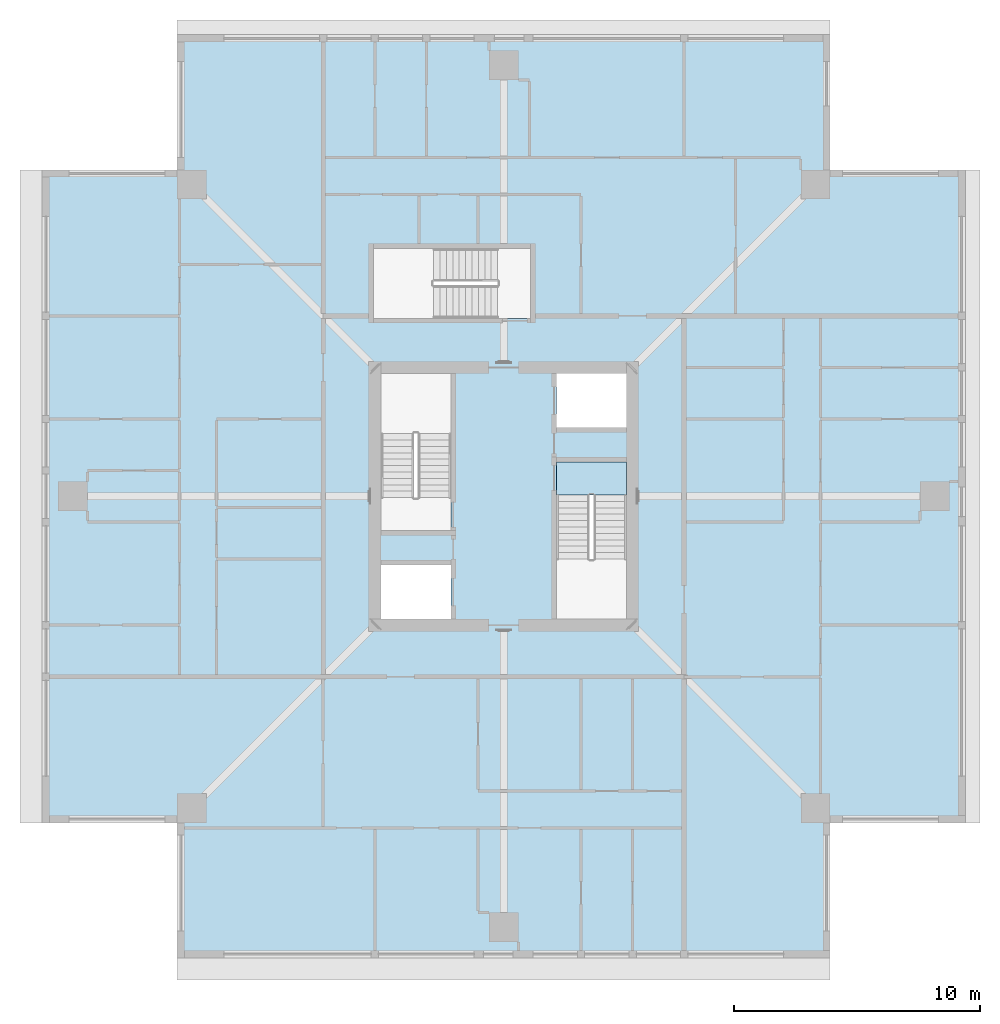
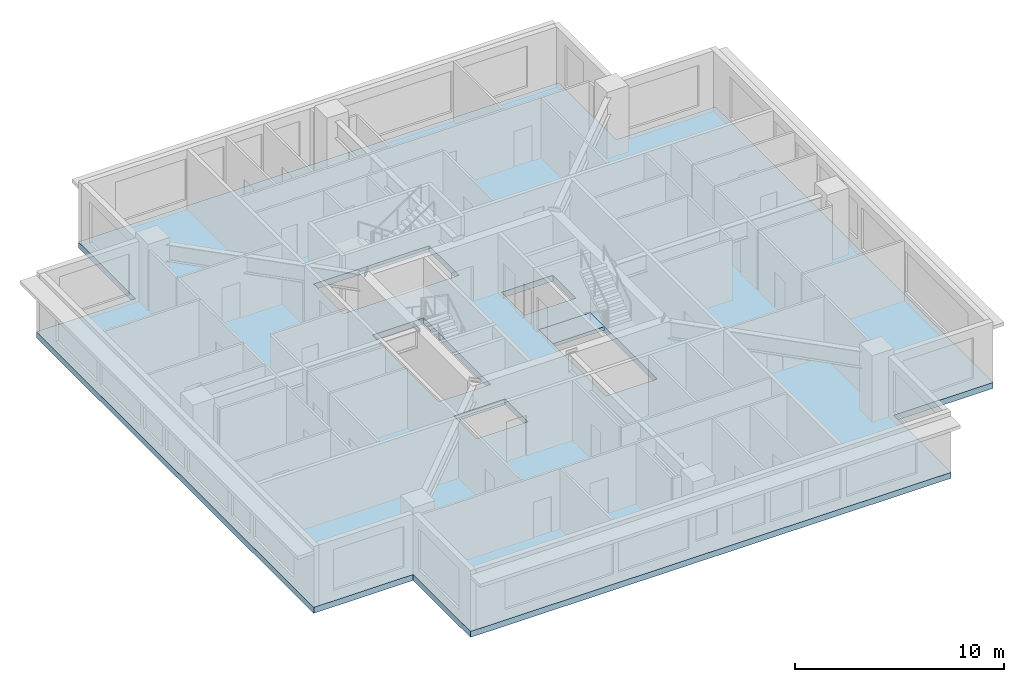
# One storey, part 3 of 11: 2 slabs, 1 element without a shape of its own.
"""IFC4 building model written with IfcOpenShell, lengths in metres."""

import ifcopenshell
import ifcopenshell.guid

model = None  # the IFC model being written
_history = None  # IfcOwnerHistory: only IFC2X3 demands one
_inside = {}  # id of a spatial element -> (the spatial element, [elements in it])
_under = {}  # id of a project, library or spatial element -> (it, [spatial elements below it])
_declared = {}  # id of a project -> (the project, [libraries it declares])
_typed = {}  # id of a type object -> (the type object, [elements of that type])
_made_of = {}  # id of a material, layer set ... -> (it, [elements and type objects made of it])


def new_model(schema):
    """Start an empty IFC model of exactly this schema.

    Asked for "IFC4X3", IfcOpenShell would pick the latest addendum, in which some entities
    have other attributes; the version numbers below select the first issue.
    IFC2X3 requires an IfcOwnerHistory on every rooted entity: one is made here for all.
    """
    global model, _history
    if schema == "IFC4X3":
        model = ifcopenshell.file(schema_version=(4, 3, 0, 0))
    else:
        model = ifcopenshell.file(schema=schema)
    _inside.clear()
    _under.clear()
    _declared.clear()
    _typed.clear()
    _made_of.clear()
    _history = None
    if model.schema == "IFC2X3":
        org = make("IfcOrganization", Name="unknown")
        user = make(
            "IfcPersonAndOrganization",
            ThePerson=make("IfcPerson", FamilyName="unknown"),
            TheOrganization=org,
        )
        app = make(
            "IfcApplication",
            ApplicationDeveloper=org,
            Version="unknown",
            ApplicationFullName="unknown",
            ApplicationIdentifier="unknown",
        )
        _history = make(
            "IfcOwnerHistory",
            OwningUser=user,
            OwningApplication=app,
            ChangeAction="ADDED",
            CreationDate=0,
        )
    return model


def make(cls, **values):
    """One entity of the class cls with the attributes given. An attribute that is None is left unset."""
    return model.create_entity(
        cls, **{name: value for name, value in values.items() if value is not None}
    )


def rooted(cls, **values):
    """An entity with a GlobalId (a new one), such as an element, a storey or a relation."""
    return make(cls, GlobalId=ifcopenshell.guid.new(), OwnerHistory=_history, **values)


def si_unit(unit_type, name, prefix=None):
    """IfcSIUnit, for example si_unit("LENGTHUNIT", "METRE", prefix="MILLI")."""
    return make("IfcSIUnit", UnitType=unit_type, Prefix=prefix, Name=name)


def assignment(units):
    """IfcUnitAssignment: the units of a project."""
    return None if units is None else make("IfcUnitAssignment", Units=units)


def point(xyz):
    """IfcCartesianPoint."""
    return None if xyz is None else make("IfcCartesianPoint", Coordinates=xyz)


def direction(xyz):
    """IfcDirection."""
    return None if xyz is None else make("IfcDirection", DirectionRatios=xyz)


def frame(location, z_axis=None, x_axis=None):
    """IfcAxis2Placement3D, a coordinate frame: its origin and axes. An axis left out is left unset."""
    return make(
        "IfcAxis2Placement3D",
        Location=point(location),
        Axis=direction(z_axis),
        RefDirection=direction(x_axis),
    )


def origin():
    """The frame at (0, 0, 0) with its axes left unset."""
    return frame((0.0, 0.0, 0.0))


def place(relative_to, where):
    """IfcLocalPlacement: puts the frame where relative to a parent placement (None: the world)."""
    return make(
        "IfcLocalPlacement", PlacementRelTo=relative_to, RelativePlacement=where
    )


def context(
    kind, dimensions, precision=None, world=None, true_north=None, identifier=None
):
    """IfcGeometricRepresentationContext, for example the 3D "Model" context."""
    return make(
        "IfcGeometricRepresentationContext",
        ContextIdentifier=identifier,
        ContextType=kind,
        CoordinateSpaceDimension=dimensions,
        Precision=precision,
        WorldCoordinateSystem=world,
        TrueNorth=true_north,
    )


def subcontext(parent, identifier, kind, view, scale=None):
    """IfcGeometricRepresentationSubContext, for example "Body" below "Model"."""
    return make(
        "IfcGeometricRepresentationSubContext",
        ContextIdentifier=identifier,
        ContextType=kind,
        ParentContext=parent,
        TargetScale=scale,
        TargetView=view,
    )


def project(units=None, contexts=None):
    """IfcProject with its units and contexts."""
    return rooted(
        "IfcProject",
        Name="project",
        RepresentationContexts=contexts,
        UnitsInContext=assignment(units),
    )


def spatial(cls, under=None, at=None, **own):
    """A site, building, storey or space (cls), placed at a placement, below another one or the project."""
    s = rooted(cls, ObjectPlacement=at, **own)
    if under is not None:
        _under.setdefault(under.id(), (under, []))[1].append(s)
    return s


def polyline(points):
    """IfcPolyline through the points."""
    return make("IfcPolyline", Points=[point(p) for p in points])


def outline(outer, holes=None, kind="AREA"):
    """IfcArbitraryClosedProfileDef: a profile drawn as a closed curve; with holes, ...WithVoids."""
    if holes is None:
        return make("IfcArbitraryClosedProfileDef", ProfileType=kind, OuterCurve=outer)
    return make(
        "IfcArbitraryProfileDefWithVoids",
        ProfileType=kind,
        OuterCurve=outer,
        InnerCurves=holes,
    )


def extrude(swept, where, along, depth):
    """IfcExtrudedAreaSolid: the profile swept, set in the frame where, extruded along a direction by depth."""
    return make(
        "IfcExtrudedAreaSolid",
        SweptArea=swept,
        Position=where,
        ExtrudedDirection=direction(along),
        Depth=depth,
    )


def shape(context_of_items, identifier, shape_type, items):
    """IfcShapeRepresentation: the items that make up one representation, for example the "Body"."""
    return make(
        "IfcShapeRepresentation",
        ContextOfItems=context_of_items,
        RepresentationIdentifier=identifier,
        RepresentationType=shape_type,
        Items=items,
    )


def material(Name=None, Category=None):
    """IfcMaterial."""
    return make("IfcMaterial", Name=Name, Category=Category)


def layer(
    of_material, thickness, ventilated=None, Name=None, Category=None, Priority=None
):
    """IfcMaterialLayer: one layer of a wall or slab, of a material (None: an air gap)."""
    return make(
        "IfcMaterialLayer",
        Material=of_material,
        LayerThickness=thickness,
        IsVentilated=ventilated,
        Name=Name,
        Category=Category,
        Priority=Priority,
    )


def layer_set(layers, Name=None):
    """IfcMaterialLayerSet."""
    return make("IfcMaterialLayerSet", MaterialLayers=layers, LayerSetName=Name)


def made_of(thing, what):
    """Note that an element or type object is made of a material, layer set ...; save() writes the relation."""
    if what is not None:
        _made_of.setdefault(what.id(), (what, []))[1].append(thing)
    return thing


def type_object(cls, material=None, **own):
    """A type object (cls), such as IfcWallType, which elements share."""
    return made_of(rooted(cls, **own), material)


def element(
    cls,
    number,
    at=None,
    inside=None,
    cuts=None,
    type_object=None,
    material=None,
    context=None,
    identifier="Body",
    shape_type=None,
    held_by="IfcProductDefinitionShape",
    body=None,
    shapes=None,
    **own,
):
    """One element of the class cls, such as IfcWall. Its Tag is "e" and its number.

    at: its placement. inside: the storey or other place that contains it. cuts: it is an
    opening in that element (IfcRelVoidsElement). A single representation is given by context,
    identifier, shape_type and body (its items); several are given by shapes. held_by: the class
    of the entity that holds the representations. save() writes the other relations.
    """
    e = rooted(cls, Tag="e%d" % number, ObjectPlacement=at, **own)
    if body is not None:
        shapes = [shape(context, identifier, shape_type, body)]
    if shapes is not None:
        e.Representation = make(held_by, Representations=shapes)
    if inside is not None:
        _inside.setdefault(inside.id(), (inside, []))[1].append(e)
    if cuts is not None:
        rooted(
            "IfcRelVoidsElement", RelatingBuildingElement=cuts, RelatedOpeningElement=e
        )
    if type_object is not None:
        _typed.setdefault(type_object.id(), (type_object, []))[1].append(e)
    return made_of(e, material)


def aggregate(whole, parts):
    """IfcRelAggregates: a whole, such as a stair, and the parts it consists of."""
    return rooted("IfcRelAggregates", RelatingObject=whole, RelatedObjects=parts)


def save(model, path):
    """Write the relations noted so far, then the file.

    IfcRelAggregates (storeys below a building ...), IfcRelContainedInSpatialStructure (elements
    in a storey), IfcRelDefinesByType, IfcRelAssociatesMaterial and IfcRelDeclares: one each for
    every whole, place, type object, material and project.
    """
    for whole, parts in _under.values():
        aggregate(whole, parts)
    for where, things in _inside.values():
        rooted(
            "IfcRelContainedInSpatialStructure",
            RelatedElements=things,
            RelatingStructure=where,
        )
    for kind, things in _typed.values():
        rooted("IfcRelDefinesByType", RelatedObjects=things, RelatingType=kind)
    for what, things in _made_of.values():
        rooted("IfcRelAssociatesMaterial", RelatedObjects=things, RelatingMaterial=what)
    for by, libraries in _declared.values():
        rooted("IfcRelDeclares", RelatingContext=by, RelatedDefinitions=libraries)
    model.write(path)


model = new_model("IFC4")

# Units and contexts
model_context = context("Model", 3, precision=1e-05, world=origin(), true_north=direction((0.0, 1.0)))
body_context = subcontext(model_context, "Body", "Model", "MODEL_VIEW")
ifc_project = project(units=[si_unit("LENGTHUNIT", "METRE"), si_unit("AREAUNIT", "SQUARE_METRE"), si_unit("VOLUMEUNIT", "CUBIC_METRE"), si_unit("PLANEANGLEUNIT", "RADIAN"), si_unit("MASSUNIT", "GRAM", prefix="KILO")], contexts=[model_context])

# Site, building, storey
site_placement = place(None, origin())
site = spatial("IfcSite", under=ifc_project, at=site_placement, CompositionType="ELEMENT")
building_placement = place(site_placement, origin())
building = spatial("IfcBuilding", under=site, at=building_placement, Name="Khepri Terraces", CompositionType="ELEMENT")
storey_placement = place(building_placement, frame((0.0, 0.0, 308.39990234375)))
storey = spatial("IfcBuildingStorey", under=building, at=storey_placement, Name="L74", CompositionType="ELEMENT", Elevation=308.39990234375)

# Slab
ifc_material = material(Name="Concrete C40/50", Category="concrete")
ifc_layer_1 = layer(ifc_material, 0.35009765625, Name="Concrete C40/50", Category="concrete")
ifc_layer_set_1 = layer_set([ifc_layer_1], Name="Concrete C40/50")
slab_type_1 = type_object("IfcSlabType", Name="Crown floor slab 350", PredefinedType="FLOOR", material=ifc_layer_set_1)
slab_1_placement = place(storey_placement, frame((0.0, 0.0, -0.349853515625)))
element("IfcSlab", 1, at=slab_1_placement, inside=storey, type_object=slab_type_1, Name="Floor slab F01 L74", PredefinedType="FLOOR", context=body_context, shape_type="SweptSolid", body=[
    extrude(outline(polyline([(-18.800048828125, -13.300048828125), (-18.800048828125, 13.300048828125), (-13.300048828125, 13.300048828125), (-13.300048828125, 18.800048828125), (13.300048828125, 18.800048828125), (13.300048828125, 13.300048828125), (18.800048828125, 13.300048828125), (18.800048828125, -13.300048828125), (13.300048828125, -13.300048828125), (13.300048828125, -18.800048828125), (-13.300048828125, -18.800048828125), (-13.300048828125, -13.300048828125), (-18.800048828125, -13.300048828125)]), holes=[polyline([(5.0, 5.0), (2.14990234375, 5.0), (2.14990234375, 2.800048828125), (5.0, 2.800048828125), (5.0, 5.0)]), polyline([(-2.14990234375, -5.0), (-2.14990234375, -2.800048828125), (-5.0, -2.800048828125), (-5.0, -5.0), (-2.14990234375, -5.0)]), polyline([(-5.0, -1.39990234375), (-2.14990234375, -1.39990234375), (-2.14990234375, 5.0), (-5.0, 5.0), (-5.0, -1.39990234375)]), polyline([(5.0, -5.0), (5.0, 1.39990234375), (2.14990234375, 1.39990234375), (2.14990234375, -5.0), (5.0, -5.0)]), polyline([(-5.300048828125, 10.10009765625), (-5.300048828125, 7.25), (1.10009765625, 7.25), (1.10009765625, 10.10009765625), (-5.300048828125, 10.10009765625)])]), origin(), (0.0, 0.0, 1.0), 0.349853515625),
])

# Stair, slab
stair_type = type_object("IfcStairType", Name="STAIR-RC-22R", PredefinedType="HALF_TURN_STAIR", material=ifc_material)
stair_placement = place(storey_placement, origin())
stair = element("IfcStair", 2, at=stair_placement, inside=storey, type_object=stair_type, Name="L74 Exit Stair ST-2", PredefinedType="HALF_TURN_STAIR")
ifc_layer_2 = layer(ifc_material, 0.199951171875, Name="Concrete C40/50", Category="concrete")
ifc_layer_set_2 = layer_set([ifc_layer_2], Name="Concrete C40/50")
slab_type_2 = type_object("IfcSlabType", Name="SLB-CORE-LANDING", PredefinedType="LANDING", material=ifc_layer_set_2)
slab_2_placement = place(storey_placement, frame((0.0, 0.0, -0.199951171875)))
slab_2 = element("IfcSlab", 3, at=slab_2_placement, type_object=slab_type_2, Name="ST-2 landing 1", PredefinedType="LANDING", context=body_context, shape_type="SweptSolid", body=[
    extrude(outline(polyline([(2.14990234375, 1.39990234375), (2.14990234375, 0.050048828125), (5.0, 0.050048828125), (5.0, 1.39990234375), (2.14990234375, 1.39990234375)])), origin(), (0.0, 0.0, 1.0), 0.199951171875),
])
aggregate(stair, [slab_2])

save(model, "model.ifc")
